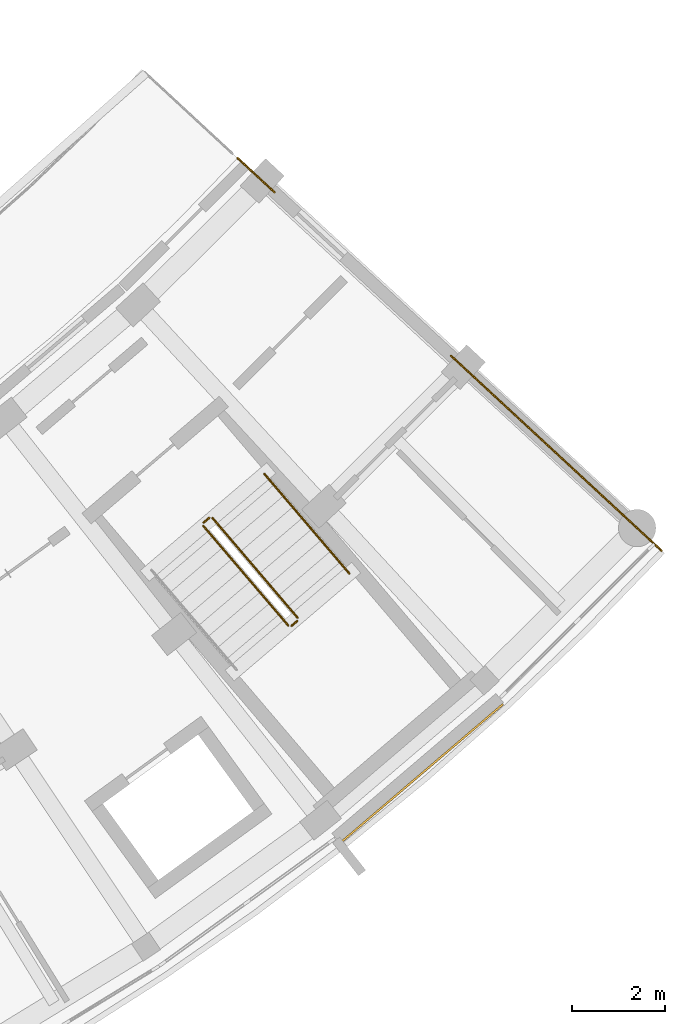
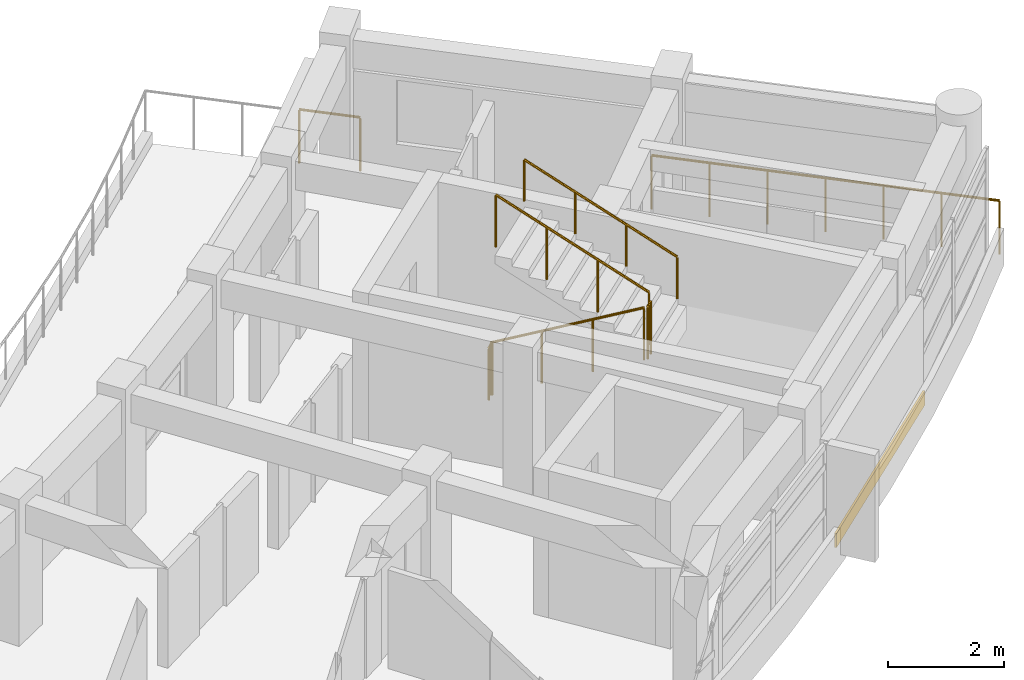
# One storey, part 54 of 54: 7 railings, 1 covering.
"""IFC4 building model written with IfcOpenShell, lengths in metres."""

from ifc_helpers import new_model, si_unit, direction, frame, origin, origin_2d, place, context, subcontext, project, spatial, rectangle, circle, extrude, material, layer, layer_set, type_object, element, save


model = new_model("IFC4")

# Units and contexts
model_context = context("Model", 3, precision=1e-05, world=origin(), true_north=direction((0.0, 1.0)))
body_context = subcontext(model_context, "Body", "Model", "MODEL_VIEW")
ifc_project = project(units=[si_unit("LENGTHUNIT", "METRE"), si_unit("AREAUNIT", "SQUARE_METRE"), si_unit("VOLUMEUNIT", "CUBIC_METRE"), si_unit("PLANEANGLEUNIT", "RADIAN"), si_unit("MASSUNIT", "GRAM", prefix="KILO")], contexts=[model_context])

# Site, building, storey
site_placement = place(None, origin())
site = spatial("IfcSite", under=ifc_project, at=site_placement, CompositionType="ELEMENT")
building_placement = place(site_placement, origin())
building = spatial("IfcBuilding", under=site, at=building_placement, Name="Zimvara Arc Housing Community", CompositionType="ELEMENT")
storey_placement = place(building_placement, frame((0.0, 0.0, 20.5)))
storey = spatial("IfcBuildingStorey", under=building, at=storey_placement, Name="L06", CompositionType="ELEMENT", Elevation=20.5)

# Covering
ifc_material_1 = material(Name="Pale-Gold Anodised Aluminium Cladding", Category="aluminium")
ifc_layer = layer(ifc_material_1, 0.0400390625)
ifc_layer_set = layer_set([ifc_layer], Name="Pale-Gold Anodised Aluminium Cladding")
covering_type = type_object("IfcCoveringType", Name="CLD-GOLD-01", PredefinedType="CLADDING", material=ifc_layer_set)
covering_placement = place(storey_placement, frame((164.569580078125, 64.59765625, 0.009765625), z_axis=(0.0, 0.0, 1.0), x_axis=(0.760971293982, 0.648785549882, 0.0)))
element("IfcCovering", 1, at=covering_placement, inside=storey, type_object=covering_type, Name="cld:blkD:L06:out:b8", PredefinedType="CLADDING", context=body_context, shape_type="SweptSolid", body=[
    extrude(rectangle(XDim=4.5625, YDim=0.0400390625, at=origin_2d()), origin(), (0.0, 0.0, 1.0), 0.300048828125),
])

# Railings
ifc_material_2 = material(Name="Anodised Aluminium AW-6063", Category="aluminium")
railing_type_1 = type_object("IfcRailingType", Name="RLG-BAL-1120", PredefinedType="BALUSTRADE", material=ifc_material_2)
railing_1_placement = place(storey_placement, frame((159.87744140625, 69.900634765625, 0.155029296875)))
element("IfcRailing", 2, at=railing_1_placement, inside=storey, type_object=railing_type_1, Name="L06 ST-D2 stair guard 1", PredefinedType="BALUSTRADE", context=body_context, shape_type="SweptSolid", body=[
    extrude(circle(Radius=0.02392578125, at=origin_2d()), frame((0.0, 0.0, 1.09619140625), z_axis=(0.581041388364, -0.681489443978, 0.444930379672), x_axis=(0.760960200111, 0.648798561841, 0.0)), (0.0, 0.0, 1.0), 3.13525390625),
    extrude(circle(Radius=0.02099609375, at=origin_2d()), origin(), (0.0, 0.0, 1.0), 1.072021484375),
    extrude(circle(Radius=0.02099609375, at=origin_2d()), frame((0.607177734375, -0.712158203125, 0.465087890625)), (0.0, 0.0, 1.0), 1.072021484375),
    extrude(circle(Radius=0.02099609375, at=origin_2d()), frame((1.214599609375, -1.424560546875, 0.929931640625)), (0.0, 0.0, 1.0), 1.072021484375),
    extrude(circle(Radius=0.02099609375, at=origin_2d()), frame((1.82177734375, -2.13671875, 1.39501953125)), (0.0, 0.0, 1.0), 1.072021484375),
])
railing_2_placement = place(storey_placement, frame((161.76953125, 67.75830078125, 1.550048828125)))
element("IfcRailing", 3, at=railing_2_placement, inside=storey, type_object=railing_type_1, Name="L06 ST-D2 stair guard 2", PredefinedType="BALUSTRADE", context=body_context, shape_type="SweptSolid", body=[
    extrude(circle(Radius=0.02392578125, at=origin_2d()), frame((0.0, 0.0, 1.09619140625), z_axis=(0.761299014529, 0.648400964278, 0.0), x_axis=(-0.648400964278, 0.761299014529, 0.0)), (0.0, 0.0, 1.0), 0.159912109375),
    extrude(circle(Radius=0.02099609375, at=origin_2d()), origin(), (0.0, 0.0, 1.0), 1.072021484375),
    extrude(circle(Radius=0.02099609375, at=origin_2d()), frame((0.121826171875, 0.103759765625, 0.0)), (0.0, 0.0, 1.0), 1.072021484375),
])
railing_3_placement = place(storey_placement, frame((161.89697265625, 67.9326171875, 1.705078125)))
element("IfcRailing", 4, at=railing_3_placement, inside=storey, type_object=railing_type_1, Name="L06 ST-D2 stair guard 3", PredefinedType="BALUSTRADE", context=body_context, shape_type="SweptSolid", body=[
    extrude(circle(Radius=0.02392578125, at=origin_2d()), frame((0.0, 0.0, 1.09619140625), z_axis=(-0.581041388364, 0.681489443978, 0.444930379672), x_axis=(-0.760960200111, -0.648798561841, 0.0)), (0.0, 0.0, 1.0), 3.13525390625),
    extrude(circle(Radius=0.02099609375, at=origin_2d()), origin(), (0.0, 0.0, 1.0), 1.072021484375),
    extrude(circle(Radius=0.02099609375, at=origin_2d()), frame((-0.607177734375, 0.712158203125, 0.465087890625)), (0.0, 0.0, 1.0), 1.072021484375),
    extrude(circle(Radius=0.02099609375, at=origin_2d()), frame((-1.214599609375, 1.424560546875, 0.929931640625)), (0.0, 0.0, 1.0), 1.072021484375),
    extrude(circle(Radius=0.02099609375, at=origin_2d()), frame((-1.82177734375, 2.13671875, 1.39501953125)), (0.0, 0.0, 1.0), 1.072021484375),
])
railing_4_placement = place(storey_placement, frame((159.883056640625, 69.97119140625, 0.0)))
element("IfcRailing", 5, at=railing_4_placement, inside=storey, type_object=railing_type_1, Name="L06 ST-D2 stair guard 4", PredefinedType="BALUSTRADE", context=body_context, shape_type="SweptSolid", body=[
    extrude(circle(Radius=0.02392578125, at=origin_2d()), frame((0.0, 0.0, 1.09619140625), z_axis=(0.760656476318, 0.649154623364, 0.0), x_axis=(-0.649154623364, 0.760656476318, 0.0)), (0.0, 0.0, 1.0), 0.159912109375),
    extrude(circle(Radius=0.02099609375, at=origin_2d()), origin(), (0.0, 0.0, 1.0), 1.072021484375),
    extrude(circle(Radius=0.02099609375, at=origin_2d()), frame((0.12158203125, 0.103759765625, 0.0)), (0.0, 0.0, 1.0), 1.072021484375),
])
ifc_material_3 = material(Name="Anodised Aluminium AW-6063", Category="aluminium")
railing_type_2 = type_object("IfcRailingType", Name="RLG-BAL-1150", PredefinedType="BALUSTRADE", material=ifc_material_3)
railing_5_placement = place(storey_placement, frame((160.612060546875, 77.790283203125, 0.0)))
element("IfcRailing", 6, at=railing_5_placement, inside=storey, type_object=railing_type_2, Name="rlg:blkD:L06:gable_in:gN", PredefinedType="BALUSTRADE", context=body_context, shape_type="SweptSolid", body=[
    extrude(circle(Radius=0.02392578125, at=origin_2d()), frame((0.0, 0.0, 1.1259765625), z_axis=(0.733823282614, -0.679340407965, 0.0), x_axis=(0.679340407965, 0.733823282614, 0.0)), (0.0, 0.0, 1.0), 1.079833984375),
    extrude(circle(Radius=0.02099609375, at=origin_2d()), origin(), (0.0, 0.0, 1.0), 1.101806640625),
    extrude(circle(Radius=0.02099609375, at=origin_2d()), frame((0.79248046875, -0.733642578125, 0.0)), (0.0, 0.0, 1.0), 1.101806640625),
])
railing_6_placement = place(storey_placement, frame((165.1904296875, 73.550537109375, 0.0)))
element("IfcRailing", 7, at=railing_6_placement, inside=storey, type_object=railing_type_2, Name="rlg:blkD:L06:gable_out:gN", PredefinedType="BALUSTRADE", context=body_context, shape_type="SweptSolid", body=[
    extrude(circle(Radius=0.02392578125, at=origin_2d()), frame((0.0, 0.0, 1.1259765625), z_axis=(0.733734329214, -0.67943648278, 0.0), x_axis=(0.67943648278, 0.733734329214, 0.0)), (0.0, 0.0, 1.0), 6.159912109375),
    extrude(circle(Radius=0.02099609375, at=origin_2d()), origin(), (0.0, 0.0, 1.0), 1.101806640625),
    extrude(circle(Radius=0.02099609375, at=origin_2d()), frame((0.75341796875, -0.697509765625, 0.0)), (0.0, 0.0, 1.0), 1.101806640625),
    extrude(circle(Radius=0.02099609375, at=origin_2d()), frame((1.506591796875, -1.39501953125, 0.0)), (0.0, 0.0, 1.0), 1.101806640625),
    extrude(circle(Radius=0.02099609375, at=origin_2d()), frame((2.259765625, -2.0927734375, 0.0)), (0.0, 0.0, 1.0), 1.101806640625),
    extrude(circle(Radius=0.02099609375, at=origin_2d()), frame((3.01318359375, -2.790283203125, 0.0)), (0.0, 0.0, 1.0), 1.101806640625),
    extrude(circle(Radius=0.02099609375, at=origin_2d()), frame((3.7666015625, -3.48779296875, 0.0)), (0.0, 0.0, 1.0), 1.101806640625),
    extrude(circle(Radius=0.02099609375, at=origin_2d()), frame((4.519775390625, -4.185302734375, 0.0)), (0.0, 0.0, 1.0), 1.101806640625),
])
ifc_material_4 = material(Name="Anodised Aluminium AW-6063", Category="aluminium")
railing_type_3 = type_object("IfcRailingType", Name="RLG-HND-900", PredefinedType="HANDRAIL", material=ifc_material_4)
railing_7_placement = place(storey_placement, frame((163.008056640625, 68.8798828125, 1.705078125)))
element("IfcRailing", 8, at=railing_7_placement, inside=storey, type_object=railing_type_3, Name="L06 ST-D2 stair handrail 2", PredefinedType="HANDRAIL", context=body_context, shape_type="SweptSolid", body=[
    extrude(circle(Radius=0.02392578125, at=origin_2d()), frame((0.0, 0.0, 0.8759765625), z_axis=(-0.581041388364, 0.681489443978, 0.444930379672), x_axis=(-0.760960200111, -0.648798561841, 0.0)), (0.0, 0.0, 1.0), 3.13525390625),
    extrude(circle(Radius=0.02099609375, at=origin_2d()), origin(), (0.0, 0.0, 1.0), 0.851806640625),
    extrude(circle(Radius=0.02099609375, at=origin_2d()), frame((-0.607177734375, 0.712158203125, 0.465087890625)), (0.0, 0.0, 1.0), 0.851806640625),
    extrude(circle(Radius=0.02099609375, at=origin_2d()), frame((-1.214599609375, 1.424560546875, 0.929931640625)), (0.0, 0.0, 1.0), 0.851806640625),
    extrude(circle(Radius=0.02099609375, at=origin_2d()), frame((-1.82177734375, 2.13671875, 1.39501953125)), (0.0, 0.0, 1.0), 0.851806640625),
])

save(model, "model.ifc")
